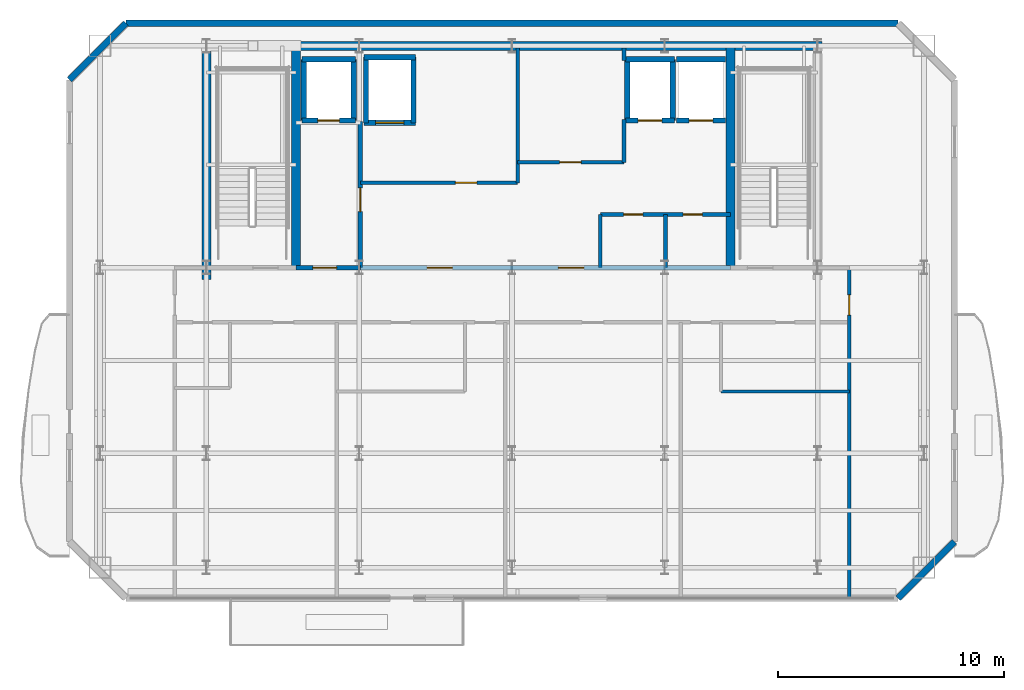
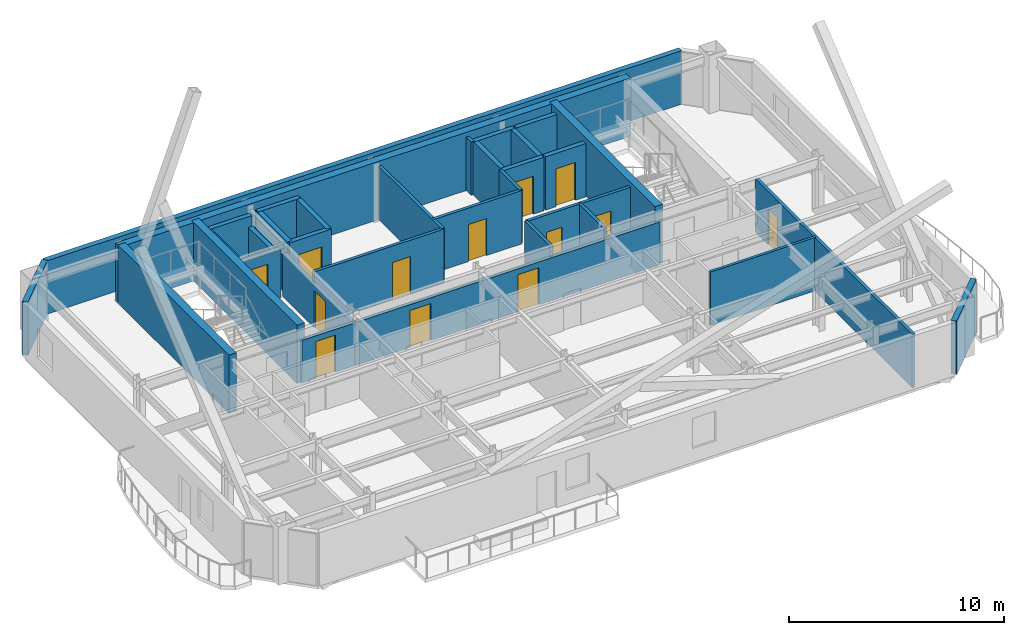
# One storey, part 3 of 7: 34 walls, 13 doors, 13 openings.
"""IFC4 building model written with IfcOpenShell, lengths in metres."""

from ifc_helpers import new_model, si_unit, direction, frame, frame_2d, origin, place, context, subcontext, project, spatial, rectangle, extrude, material, layer, layer_set, type_object, element, fill, save


model = new_model("IFC4")

# Units and contexts
model_context = context("Model", 3, precision=1e-05, world=origin(), true_north=direction((0.0, 1.0)))
body_context = subcontext(model_context, "Body", "Model", "MODEL_VIEW")
ifc_project = project(units=[si_unit("LENGTHUNIT", "METRE"), si_unit("AREAUNIT", "SQUARE_METRE"), si_unit("VOLUMEUNIT", "CUBIC_METRE"), si_unit("PLANEANGLEUNIT", "RADIAN"), si_unit("MASSUNIT", "GRAM", prefix="KILO")], contexts=[model_context])

# Site, building, storey
site_placement = place(None, origin())
site = spatial("IfcSite", under=ifc_project, at=site_placement, CompositionType="ELEMENT")
building_placement = place(site_placement, origin())
building = spatial("IfcBuilding", under=site, at=building_placement, Name="Haevon Station Towers", CompositionType="ELEMENT")
storey_placement = place(building_placement, frame((0.0, 0.0, 259.199951171875)))
storey = spatial("IfcBuildingStorey", under=building, at=storey_placement, Name="L72", CompositionType="ELEMENT", Elevation=259.199951171875)

# Wall, opening, door
ifc_material_1 = material(Name="Gypsum board on steel stud", Category="steel")
ifc_layer_1 = layer(ifc_material_1, 0.199951171875)
ifc_layer_set_1 = layer_set([ifc_layer_1], Name="Gypsum board on steel stud")
wall_type_1 = type_object("IfcWallType", Name="WL-COR200", PredefinedType="PARTITIONING", material=ifc_layer_set_1)
wall_1_placement = place(storey_placement, frame((30.800048828125, 38.199951171875, 0.0), z_axis=(0.0, 0.0, 1.0), x_axis=(0.0, 1.0, 0.0)))
wall_1 = element("IfcWall", 1, at=wall_1_placement, inside=storey, type_object=wall_type_1, Name="WL-T1FFL-L72-E", PredefinedType="PARTITIONING", context=body_context, shape_type="SweptSolid", body=[
    extrude(rectangle(XDim=6.449951171875, YDim=0.199951171875, at=frame_2d((3.22509765625, 0.0))), origin(), (0.0, 0.0, 1.0), 2.429931640625),
])
opening_1_placement = place(wall_1_placement, frame((2.469970703125, 0.0, 0.0)))
opening_1 = element("IfcOpeningElement", 2, at=opening_1_placement, cuts=wall_1, Name="Opening DR-T1FFL-L72-E", PredefinedType="OPENING", context=body_context, shape_type="SweptSolid", body=[
    extrude(rectangle(XDim=1.050048828125, YDim=2.10009765625, at=frame_2d((0.52490234375, 1.050048828125))), frame((0.0, 0.10986328125, 0.0), z_axis=(0.0, -1.0, 0.0), x_axis=(1.0, 0.0, 0.0)), (0.0, 0.0, 1.0), 0.219970703125),
])
ifc_material_2 = material(Name="Engineered oak timber", Category="wood")
door_type_1 = type_object("IfcDoorType", Name="DR-FD60-1050", OperationType="NOTDEFINED", PredefinedType="DOOR", material=ifc_material_2)
door_1_placement = place(opening_1_placement, origin())
door_1 = element("IfcDoor", 3, at=door_1_placement, inside=storey, type_object=door_type_1, Name="L72 Tower 1 Firefighting Lift Lobby Door E", OperationType="SINGLE_SWING_RIGHT", OverallHeight=2.10009765625, OverallWidth=1.050048828125, PredefinedType="DOOR", context=body_context, shape_type="SweptSolid", body=[
    extrude(rectangle(XDim=1.050048828125, YDim=2.10009765625, at=frame_2d((0.52490234375, 1.050048828125))), frame((0.0, 0.02490234375, 0.0), z_axis=(0.0, -1.0, 0.0), x_axis=(1.0, 0.0, 0.0)), (0.0, 0.0, 1.0), 0.050048828125),
])
fill(opening_1, door_1)

wall_2_placement = place(storey_placement, frame((27.949951171875, 38.199951171875, 0.0), z_axis=(0.0, 0.0, 1.0), x_axis=(1.0, 0.0, 0.0)))
wall_2 = element("IfcWall", 4, at=wall_2_placement, inside=storey, type_object=wall_type_1, Name="WL-T1FFL-L72-S", PredefinedType="PARTITIONING", context=body_context, shape_type="SweptSolid", body=[
    extrude(rectangle(XDim=2.85009765625, YDim=0.199951171875, at=frame_2d((1.425048828125, 0.0))), origin(), (0.0, 0.0, 1.0), 2.429931640625),
])
opening_2_placement = place(wall_2_placement, frame((0.75, 0.0, 0.0)))
opening_2 = element("IfcOpeningElement", 5, at=opening_2_placement, cuts=wall_2, Name="Opening DR-T1FFL-L72-S", PredefinedType="OPENING", context=body_context, shape_type="SweptSolid", body=[
    extrude(rectangle(XDim=1.050048828125, YDim=2.10009765625, at=frame_2d((0.52490234375, 1.050048828125))), frame((0.0, 0.10986328125, 0.0), z_axis=(0.0, -1.0, 0.0), x_axis=(1.0, 0.0, 0.0)), (0.0, 0.0, 1.0), 0.219970703125),
])
door_2_placement = place(opening_2_placement, origin())
door_2 = element("IfcDoor", 6, at=door_2_placement, inside=storey, type_object=door_type_1, Name="L72 Tower 1 Firefighting Lift Lobby Door S", OperationType="SINGLE_SWING_LEFT", OverallHeight=2.10009765625, OverallWidth=1.050048828125, PredefinedType="DOOR", context=body_context, shape_type="SweptSolid", body=[
    extrude(rectangle(XDim=1.050048828125, YDim=2.10009765625, at=frame_2d((0.52490234375, 1.050048828125))), frame((0.0, 0.02490234375, 0.0), z_axis=(0.0, -1.0, 0.0), x_axis=(1.0, 0.0, 0.0)), (0.0, 0.0, 1.0), 0.050048828125),
])
fill(opening_2, door_2)

# Wall, openings, doors
wall_3_placement = place(storey_placement, frame((30.800048828125, 38.199951171875, 0.0), z_axis=(0.0, 0.0, 1.0), x_axis=(1.0, 0.0, 0.0)))
wall_3 = element("IfcWall", 7, at=wall_3_placement, inside=storey, type_object=wall_type_1, Name="WL-T1CLB-L72", PredefinedType="PARTITIONING", context=body_context, shape_type="SweptSolid", body=[
    extrude(rectangle(XDim=16.349853515625, YDim=0.199951171875, at=frame_2d((8.1748046875, 0.0))), origin(), (0.0, 0.0, 1.0), 2.429931640625),
])
opening_3_placement = place(wall_3_placement, frame((2.949951171875, 0.0, 0.0)))
opening_3 = element("IfcOpeningElement", 8, at=opening_3_placement, cuts=wall_3, Name="Opening DR-T1CLB-L72-1", PredefinedType="OPENING", context=body_context, shape_type="SweptSolid", body=[
    extrude(rectangle(XDim=1.1201171875, YDim=2.10009765625, at=frame_2d((0.56005859375, 1.050048828125))), frame((0.0, 0.10986328125, 0.0), z_axis=(0.0, -1.0, 0.0), x_axis=(1.0, 0.0, 0.0)), (0.0, 0.0, 1.0), 0.219970703125),
])
opening_4_placement = place(wall_3_placement, frame((8.75, 0.0, 0.0)))
opening_4 = element("IfcOpeningElement", 9, at=opening_4_placement, cuts=wall_3, Name="Opening DR-T1CLB-L72-2", PredefinedType="OPENING", context=body_context, shape_type="SweptSolid", body=[
    extrude(rectangle(XDim=1.1201171875, YDim=2.10009765625, at=frame_2d((0.56005859375, 1.050048828125))), frame((0.0, 0.10986328125, 0.0), z_axis=(0.0, -1.0, 0.0), x_axis=(1.0, 0.0, 0.0)), (0.0, 0.0, 1.0), 0.219970703125),
])
door_type_2 = type_object("IfcDoorType", Name="DR-ST-1120", OperationType="NOTDEFINED", PredefinedType="DOOR", material=ifc_material_2)
door_3_placement = place(opening_3_placement, origin())
door_3 = element("IfcDoor", 10, at=door_3_placement, inside=storey, type_object=door_type_2, Name="L72 Tower 1 Core Lift Lobby Door 1", OperationType="SINGLE_SWING_RIGHT", OverallHeight=2.10009765625, OverallWidth=1.1201171875, PredefinedType="DOOR", context=body_context, shape_type="SweptSolid", body=[
    extrude(rectangle(XDim=1.1201171875, YDim=2.10009765625, at=frame_2d((0.56005859375, 1.050048828125))), frame((0.0, 0.02490234375, 0.0), z_axis=(0.0, -1.0, 0.0), x_axis=(1.0, 0.0, 0.0)), (0.0, 0.0, 1.0), 0.050048828125),
])
fill(opening_3, door_3)
door_4_placement = place(opening_4_placement, origin())
door_4 = element("IfcDoor", 11, at=door_4_placement, inside=storey, type_object=door_type_2, Name="L72 Tower 1 Core Lift Lobby Door 2", OperationType="SINGLE_SWING_LEFT", OverallHeight=2.10009765625, OverallWidth=1.1201171875, PredefinedType="DOOR", context=body_context, shape_type="SweptSolid", body=[
    extrude(rectangle(XDim=1.1201171875, YDim=2.10009765625, at=frame_2d((0.56005859375, 1.050048828125))), frame((0.0, 0.02490234375, 0.0), z_axis=(0.0, -1.0, 0.0), x_axis=(1.0, 0.0, 0.0)), (0.0, 0.0, 1.0), 0.050048828125),
])
fill(opening_4, door_4)

# Walls
ifc_material_3 = material(Name="Concrete C60/75", Category="concrete")
ifc_layer_2 = layer(ifc_material_3, 0.39990234375)
ifc_layer_set_2 = layer_set([ifc_layer_2], Name="Concrete C60/75")
wall_type_2 = type_object("IfcWallType", Name="WL-CR400", PredefinedType="SHEAR", material=ifc_layer_set_2)
wall_4_placement = place(storey_placement, frame((23.800048828125, 48.0, 0.0), z_axis=(0.0, 0.0, 1.0), x_axis=(1.0, 0.0, 0.0)))
element("IfcWall", 12, at=wall_4_placement, inside=storey, type_object=wall_type_2, Name="WL-T1CR-L72-N", PredefinedType="SHEAR", context=body_context, shape_type="SweptSolid", body=[
    extrude(rectangle(XDim=27.39990234375, YDim=0.39990234375, at=frame_2d((13.699951171875, 0.0))), origin(), (0.0, 0.0, 1.0), 3.300048828125),
])
wall_5_placement = place(storey_placement, frame((24.0, 37.679931640625, 0.0), z_axis=(0.0, 0.0, 1.0), x_axis=(0.0, 1.0, 0.0)))
element("IfcWall", 13, at=wall_5_placement, inside=storey, type_object=wall_type_2, Name="WL-T1CR-L72-W", PredefinedType="SHEAR", context=body_context, shape_type="SweptSolid", body=[
    extrude(rectangle(XDim=10.320068359375, YDim=0.39990234375, at=frame_2d((5.16015625, 0.0))), origin(), (0.0, 0.0, 1.0), 3.300048828125),
])
for number, where, z_axis, x_axis, name in (
    (14, (27.949951171875, 38.199951171875, 0.0), (0.0, 0.0, 1.0), (0.0, 1.0, 0.0), "WL-T1CR-L72-M1"),
    (15, (47.14990234375, 38.199951171875, 0.0), (0.0, 0.0, 1.0), (0.0, 1.0, 0.0), "WL-T1CR-L72-M2"),
):
    element("IfcWall", number, at=place(storey_placement, frame(where, z_axis=z_axis, x_axis=x_axis)), inside=storey, type_object=wall_type_2, Name=name, PredefinedType="SHEAR", context=body_context, shape_type="SweptSolid", body=[
        extrude(rectangle(XDim=9.800048828125, YDim=0.39990234375, at=frame_2d((4.89990234375, 0.0))), origin(), (0.0, 0.0, 1.0), 3.300048828125),
    ])
ifc_material_4 = material(Name="Precast concrete C45/55", Category="concrete")
ifc_layer_3 = layer(ifc_material_4, 0.280029296875)
ifc_layer_set_3 = layer_set([ifc_layer_3], Name="Precast concrete C45/55")
wall_type_3 = type_object("IfcWallType", Name="WL-EXT-PIER280", PredefinedType="SOLIDWALL", material=ifc_layer_set_3)
wall_6_placement = place(storey_placement, frame((17.949951171875, 46.5, 0.0), z_axis=(0.0, 0.0, 1.0), x_axis=(0.707106781187, 0.707106781187, 0.0)))
element("IfcWall", 16, at=wall_6_placement, inside=storey, type_object=wall_type_3, Name="WL-T1-L72-NWC", PredefinedType="SOLIDWALL", context=body_context, shape_type="SweptSolid", body=[
    extrude(rectangle(XDim=3.53564453125, YDim=0.280029296875, at=frame_2d((1.767822265625, 0.0))), origin(), (0.0, 0.0, 1.0), 3.030029296875),
])
wall_7_placement = place(storey_placement, frame((20.449951171875, 49.0, 0.0), z_axis=(0.0, 0.0, 1.0), x_axis=(1.0, 0.0, 0.0)))
element("IfcWall", 17, at=wall_7_placement, inside=storey, type_object=wall_type_3, Name="WL-T1-L72-N", PredefinedType="SOLIDWALL", context=body_context, shape_type="SweptSolid", body=[
    extrude(rectangle(XDim=34.10009765625, YDim=0.280029296875, at=frame_2d((17.050048828125, 0.0))), origin(), (0.0, 0.0, 1.0), 3.030029296875),
])
wall_8_placement = place(storey_placement, frame((57.050048828125, 26.10009765625, 0.0), z_axis=(0.0, 0.0, 1.0), x_axis=(-0.707106781187, -0.707106781187, 0.0)))
element("IfcWall", 18, at=wall_8_placement, inside=storey, type_object=wall_type_3, Name="WL-T1-L72-SEC", PredefinedType="SOLIDWALL", context=body_context, shape_type="SweptSolid", body=[
    extrude(rectangle(XDim=3.53564453125, YDim=0.280029296875, at=frame_2d((1.767822265625, 0.0))), origin(), (0.0, 0.0, 1.0), 3.030029296875),
])
ifc_layer_4 = layer(ifc_material_1, 0.139892578125)
ifc_layer_set_4 = layer_set([ifc_layer_4], Name="Gypsum board on steel stud")
wall_type_4 = type_object("IfcWallType", Name="WL-PRT140", PredefinedType="PARTITIONING", material=ifc_layer_set_4)
wall_9_placement = place(storey_placement, frame((46.72998046875, 32.72998046875, 0.0), z_axis=(0.0, 0.0, 1.0), x_axis=(1.0, 0.0, 0.0)))
element("IfcWall", 19, at=wall_9_placement, inside=storey, type_object=wall_type_4, Name="WL-T1PT-L72-12", PredefinedType="PARTITIONING", context=body_context, shape_type="SweptSolid", body=[
    extrude(rectangle(XDim=5.669921875, YDim=0.139892578125, at=frame_2d((2.8349609375, 0.0))), origin(), (0.0, 0.0, 1.0), 3.030029296875),
])

# Wall, opening, door
ifc_layer_5 = layer(ifc_material_1, 0.159912109375)
ifc_layer_set_5 = layer_set([ifc_layer_5], Name="Gypsum board on steel stud")
wall_type_5 = type_object("IfcWallType", Name="WL-PRT160", PredefinedType="PARTITIONING", material=ifc_layer_set_5)
wall_10_placement = place(storey_placement, frame((30.800048828125, 41.949951171875, 0.0), z_axis=(0.0, 0.0, 1.0), x_axis=(1.0, 0.0, 0.0)))
wall_10 = element("IfcWall", 20, at=wall_10_placement, inside=storey, type_object=wall_type_5, Name="WL-T1CW-L72-01", PredefinedType="PARTITIONING", context=body_context, shape_type="SweptSolid", body=[
    extrude(rectangle(XDim=6.949951171875, YDim=0.159912109375, at=frame_2d((3.47509765625, 0.0))), origin(), (0.0, 0.0, 1.0), 3.030029296875),
])
opening_5_placement = place(wall_10_placement, frame((4.199951171875, 0.0, 0.0)))
opening_5 = element("IfcOpeningElement", 21, at=opening_5_placement, cuts=wall_10, Name="Opening DR-WL-T1CW-L72-01-1", PredefinedType="OPENING", context=body_context, shape_type="SweptSolid", body=[
    extrude(rectangle(XDim=0.949951171875, YDim=2.10009765625, at=frame_2d((0.47509765625, 1.050048828125))), frame((0.0, 0.08984375, 0.0), z_axis=(0.0, -1.0, 0.0), x_axis=(1.0, 0.0, 0.0)), (0.0, 0.0, 1.0), 0.179931640625),
])
door_type_3 = type_object("IfcDoorType", Name="DR-FD60-950", OperationType="NOTDEFINED", PredefinedType="DOOR", material=ifc_material_2)
door_5_placement = place(opening_5_placement, origin())
door_5 = element("IfcDoor", 22, at=door_5_placement, inside=storey, type_object=door_type_3, Name="L72 Tower 1 Core Room Door 1-1", OperationType="SINGLE_SWING_LEFT", OverallHeight=2.10009765625, OverallWidth=0.949951171875, PredefinedType="DOOR", context=body_context, shape_type="SweptSolid", body=[
    extrude(rectangle(XDim=0.949951171875, YDim=2.10009765625, at=frame_2d((0.47509765625, 1.050048828125))), frame((0.0, 0.02490234375, 0.0), z_axis=(0.0, -1.0, 0.0), x_axis=(1.0, 0.0, 0.0)), (0.0, 0.0, 1.0), 0.050048828125),
])
fill(opening_5, door_5)

# Wall
wall_11_placement = place(storey_placement, frame((37.75, 41.949951171875, 0.0), z_axis=(0.0, 0.0, 1.0), x_axis=(0.0, 1.0, 0.0)))
element("IfcWall", 23, at=wall_11_placement, inside=storey, type_object=wall_type_5, Name="WL-T1CW-L72-02", PredefinedType="PARTITIONING", context=body_context, shape_type="SweptSolid", body=[
    extrude(rectangle(XDim=5.949951171875, YDim=0.159912109375, at=frame_2d((2.97509765625, 0.0))), origin(), (0.0, 0.0, 1.0), 3.030029296875),
])

# Wall, opening, door
wall_12_placement = place(storey_placement, frame((37.75, 42.85009765625, 0.0), z_axis=(0.0, 0.0, 1.0), x_axis=(1.0, 0.0, 0.0)))
wall_12 = element("IfcWall", 24, at=wall_12_placement, inside=storey, type_object=wall_type_5, Name="WL-T1CW-L72-03", PredefinedType="PARTITIONING", context=body_context, shape_type="SweptSolid", body=[
    extrude(rectangle(XDim=4.699951171875, YDim=0.159912109375, at=frame_2d((2.35009765625, 0.0))), origin(), (0.0, 0.0, 1.0), 3.030029296875),
])
opening_6_placement = place(wall_12_placement, frame((1.85009765625, 0.0, 0.0)))
opening_6 = element("IfcOpeningElement", 25, at=opening_6_placement, cuts=wall_12, Name="Opening DR-WL-T1CW-L72-03-1", PredefinedType="OPENING", context=body_context, shape_type="SweptSolid", body=[
    extrude(rectangle(XDim=0.949951171875, YDim=2.10009765625, at=frame_2d((0.47509765625, 1.050048828125))), frame((0.0, 0.08984375, 0.0), z_axis=(0.0, -1.0, 0.0), x_axis=(1.0, 0.0, 0.0)), (0.0, 0.0, 1.0), 0.179931640625),
])
door_6_placement = place(opening_6_placement, origin())
door_6 = element("IfcDoor", 26, at=door_6_placement, inside=storey, type_object=door_type_3, Name="L72 Tower 1 Core Room Door 3-1", OperationType="SINGLE_SWING_RIGHT", OverallHeight=2.10009765625, OverallWidth=0.949951171875, PredefinedType="DOOR", context=body_context, shape_type="SweptSolid", body=[
    extrude(rectangle(XDim=0.949951171875, YDim=2.10009765625, at=frame_2d((0.47509765625, 1.050048828125))), frame((0.0, 0.02490234375, 0.0), z_axis=(0.0, -1.0, 0.0), x_axis=(1.0, 0.0, 0.0)), (0.0, 0.0, 1.0), 0.050048828125),
])
fill(opening_6, door_6)

# Walls
wall_13_placement = place(storey_placement, frame((42.449951171875, 42.85009765625, 0.0), z_axis=(0.0, 0.0, 1.0), x_axis=(0.0, 1.0, 0.0)))
element("IfcWall", 27, at=wall_13_placement, inside=storey, type_object=wall_type_5, Name="WL-T1CW-L72-04", PredefinedType="PARTITIONING", context=body_context, shape_type="SweptSolid", body=[
    extrude(rectangle(XDim=1.89990234375, YDim=0.159912109375, at=frame_2d((0.949951171875, 0.0))), origin(), (0.0, 0.0, 1.0), 3.030029296875),
])
wall_14_placement = place(storey_placement, frame((42.449951171875, 47.35009765625, 0.0), z_axis=(0.0, 0.0, 1.0), x_axis=(0.0, 1.0, 0.0)))
element("IfcWall", 28, at=wall_14_placement, inside=storey, type_object=wall_type_5, Name="WL-T1CW-L72-05", PredefinedType="PARTITIONING", context=body_context, shape_type="SweptSolid", body=[
    extrude(rectangle(XDim=0.5498046875, YDim=0.159912109375, at=frame_2d((0.27490234375, 0.0))), origin(), (0.0, 0.0, 1.0), 3.030029296875),
])
for number, where, z_axis, x_axis, name in (
    (29, (41.39990234375, 38.199951171875, 0.0), (0.0, 0.0, 1.0), (0.0, 1.0, 0.0), "WL-T1CW-L72-06"),
    (30, (44.280029296875, 38.199951171875, 0.0), (0.0, 0.0, 1.0), (0.0, 1.0, 0.0), "WL-T1CW-L72-07"),
):
    element("IfcWall", number, at=place(storey_placement, frame(where, z_axis=z_axis, x_axis=x_axis)), inside=storey, type_object=wall_type_5, Name=name, PredefinedType="PARTITIONING", context=body_context, shape_type="SweptSolid", body=[
        extrude(rectangle(XDim=2.35009765625, YDim=0.159912109375, at=frame_2d((1.175048828125, 0.0))), origin(), (0.0, 0.0, 1.0), 3.030029296875),
    ])

# Wall, openings, doors
wall_15_placement = place(storey_placement, frame((41.39990234375, 40.550048828125, 0.0), z_axis=(0.0, 0.0, 1.0), x_axis=(1.0, 0.0, 0.0)))
wall_15 = element("IfcWall", 31, at=wall_15_placement, inside=storey, type_object=wall_type_5, Name="WL-T1CW-L72-08", PredefinedType="PARTITIONING", context=body_context, shape_type="SweptSolid", body=[
    extrude(rectangle(XDim=5.75, YDim=0.159912109375, at=frame_2d((2.875, 0.0))), origin(), (0.0, 0.0, 1.0), 3.030029296875),
])
opening_7_placement = place(wall_15_placement, frame((1.034912109375, 0.0, 0.0)))
opening_7 = element("IfcOpeningElement", 32, at=opening_7_placement, cuts=wall_15, Name="Opening DR-WL-T1CW-L72-08-1", PredefinedType="OPENING", context=body_context, shape_type="SweptSolid", body=[
    extrude(rectangle(XDim=0.85009765625, YDim=2.050048828125, at=frame_2d((0.425048828125, 1.02490234375))), frame((0.0, 0.08984375, 0.0), z_axis=(0.0, -1.0, 0.0), x_axis=(1.0, 0.0, 0.0)), (0.0, 0.0, 1.0), 0.179931640625),
])
opening_8_placement = place(wall_15_placement, frame((3.655029296875, 0.0, 0.0)))
opening_8 = element("IfcOpeningElement", 33, at=opening_8_placement, cuts=wall_15, Name="Opening DR-WL-T1CW-L72-08-2", PredefinedType="OPENING", context=body_context, shape_type="SweptSolid", body=[
    extrude(rectangle(XDim=0.85009765625, YDim=2.050048828125, at=frame_2d((0.425048828125, 1.02490234375))), frame((0.0, 0.08984375, 0.0), z_axis=(0.0, -1.0, 0.0), x_axis=(1.0, 0.0, 0.0)), (0.0, 0.0, 1.0), 0.179931640625),
])
door_type_4 = type_object("IfcDoorType", Name="DR-FD30-850", OperationType="NOTDEFINED", PredefinedType="DOOR", material=ifc_material_2)
door_7_placement = place(opening_7_placement, origin())
door_7 = element("IfcDoor", 34, at=door_7_placement, inside=storey, type_object=door_type_4, Name="L72 Tower 1 Core Room Door 8-1", OperationType="SINGLE_SWING_LEFT", OverallHeight=2.050048828125, OverallWidth=0.85009765625, PredefinedType="DOOR", context=body_context, shape_type="SweptSolid", body=[
    extrude(rectangle(XDim=0.85009765625, YDim=2.050048828125, at=frame_2d((0.425048828125, 1.02490234375))), frame((0.0, 0.02490234375, 0.0), z_axis=(0.0, -1.0, 0.0), x_axis=(1.0, 0.0, 0.0)), (0.0, 0.0, 1.0), 0.050048828125),
])
fill(opening_7, door_7)
door_8_placement = place(opening_8_placement, origin())
door_8 = element("IfcDoor", 35, at=door_8_placement, inside=storey, type_object=door_type_4, Name="L72 Tower 1 Core Room Door 8-2", OperationType="SINGLE_SWING_RIGHT", OverallHeight=2.050048828125, OverallWidth=0.85009765625, PredefinedType="DOOR", context=body_context, shape_type="SweptSolid", body=[
    extrude(rectangle(XDim=0.85009765625, YDim=2.050048828125, at=frame_2d((0.425048828125, 1.02490234375))), frame((0.0, 0.02490234375, 0.0), z_axis=(0.0, -1.0, 0.0), x_axis=(1.0, 0.0, 0.0)), (0.0, 0.0, 1.0), 0.050048828125),
])
fill(opening_8, door_8)

# Wall, opening, door
wall_16_placement = place(storey_placement, frame((52.39990234375, 23.60009765625, 0.0), z_axis=(0.0, 0.0, 1.0), x_axis=(0.0, 1.0, 0.0)))
wall_16 = element("IfcWall", 36, at=wall_16_placement, inside=storey, type_object=wall_type_5, Name="WL-T1PT-L72-04", PredefinedType="PARTITIONING", context=body_context, shape_type="SweptSolid", body=[
    extrude(rectangle(XDim=14.599853515625, YDim=0.159912109375, at=frame_2d((7.2998046875, 0.0))), origin(), (0.0, 0.0, 1.0), 3.030029296875),
])
opening_9_placement = place(wall_16_placement, frame((12.5, 0.0, 0.0)))
opening_9 = element("IfcOpeningElement", 37, at=opening_9_placement, cuts=wall_16, Name="Opening DR-WL-T1PT-L72-04-01", PredefinedType="OPENING", context=body_context, shape_type="SweptSolid", body=[
    extrude(rectangle(XDim=0.89990234375, YDim=2.050048828125, at=frame_2d((0.449951171875, 1.02490234375))), frame((0.0, 0.08984375, 0.0), z_axis=(0.0, -1.0, 0.0), x_axis=(1.0, 0.0, 0.0)), (0.0, 0.0, 1.0), 0.179931640625),
])
door_type_5 = type_object("IfcDoorType", Name="DR-INT-900", OperationType="NOTDEFINED", PredefinedType="DOOR", material=ifc_material_2)
door_9_placement = place(opening_9_placement, origin())
door_9 = element("IfcDoor", 38, at=door_9_placement, inside=storey, type_object=door_type_5, Name="L72 Tower 1 Room Door 4-1", OperationType="SINGLE_SWING_RIGHT", OverallHeight=2.050048828125, OverallWidth=0.89990234375, PredefinedType="DOOR", context=body_context, shape_type="SweptSolid", body=[
    extrude(rectangle(XDim=0.89990234375, YDim=2.050048828125, at=frame_2d((0.449951171875, 1.02490234375))), frame((0.0, 0.02490234375, 0.0), z_axis=(0.0, -1.0, 0.0), x_axis=(1.0, 0.0, 0.0)), (0.0, 0.0, 1.0), 0.050048828125),
])
fill(opening_9, door_9)

ifc_material_5 = material(Name="Concrete C40/50", Category="concrete")
ifc_layer_6 = layer(ifc_material_5, 0.239990234375)
ifc_layer_set_6 = layer_set([ifc_layer_6], Name="Concrete C40/50")
wall_type_6 = type_object("IfcWallType", Name="WL-SHF240", PredefinedType="PARTITIONING", material=ifc_layer_set_6)
wall_17_placement = place(storey_placement, frame((28.219970703125, 44.699951171875, 0.0), z_axis=(0.0, 0.0, 1.0), x_axis=(1.0, 0.0, 0.0)))
wall_17 = element("IfcWall", 39, at=wall_17_placement, inside=storey, type_object=wall_type_6, Name="WL-SHF-FL1-L72", PredefinedType="PARTITIONING", context=body_context, shape_type="SweptSolid", body=[
    extrude(rectangle(XDim=2.360107421875, YDim=0.239990234375, at=frame_2d((1.18017578125, 0.0))), origin(), (0.0, 0.0, 1.0), 2.72998046875),
])
opening_10_placement = place(wall_17_placement, frame((0.705078125, 0.0, 0.0)))
opening_10 = element("IfcOpeningElement", 40, at=opening_10_placement, cuts=wall_17, Name="Opening LD-FL1-L72", PredefinedType="OPENING", context=body_context, shape_type="SweptSolid", body=[
    extrude(rectangle(XDim=0.949951171875, YDim=2.14990234375, at=frame_2d((0.47509765625, 1.074951171875))), frame((0.0, 0.1298828125, 0.0), z_axis=(0.0, -1.0, 0.0), x_axis=(1.0, 0.0, 0.0)), (0.0, 0.0, 1.0), 0.260009765625),
])
ifc_material_6 = material(Name="Stainless steel and rated core", Category="steel")
door_type_6 = type_object("IfcDoorType", Name="LD-FL950", OperationType="SLIDING_TO_LEFT", PredefinedType="DOOR", material=ifc_material_6)
door_10_placement = place(opening_10_placement, origin())
door_10 = element("IfcDoor", 41, at=door_10_placement, inside=storey, type_object=door_type_6, Name="L72 Lift FL1 Sliding Landing Door", OperationType="SLIDING_TO_LEFT", OverallHeight=2.14990234375, OverallWidth=0.949951171875, PredefinedType="DOOR", context=body_context, shape_type="SweptSolid", body=[
    extrude(rectangle(XDim=0.949951171875, YDim=2.14990234375, at=frame_2d((0.47509765625, 1.074951171875))), frame((0.0, 0.02490234375, 0.0), z_axis=(0.0, -1.0, 0.0), x_axis=(1.0, 0.0, 0.0)), (0.0, 0.0, 1.0), 0.050048828125),
])
fill(opening_10, door_10)

# Walls
wall_18_placement = place(storey_placement, frame((28.219970703125, 47.39990234375, 0.0), z_axis=(0.0, 0.0, 1.0), x_axis=(1.0, 0.0, 0.0)))
element("IfcWall", 42, at=wall_18_placement, inside=storey, type_object=wall_type_6, Name="WL-SHF-FL1-L72-N", PredefinedType="PARTITIONING", context=body_context, shape_type="SweptSolid", body=[
    extrude(rectangle(XDim=2.360107421875, YDim=0.239990234375, at=frame_2d((1.18017578125, 0.0))), origin(), (0.0, 0.0, 1.0), 3.030029296875),
])
wall_19_placement = place(storey_placement, frame((28.300048828125, 44.699951171875, 0.0), z_axis=(0.0, 0.0, 1.0), x_axis=(0.0, 1.0, 0.0)))
element("IfcWall", 43, at=wall_19_placement, inside=storey, type_object=wall_type_6, Name="WL-SHF-FL1-L72-W", PredefinedType="PARTITIONING", context=body_context, shape_type="SweptSolid", body=[
    extrude(rectangle(XDim=2.699951171875, YDim=0.239990234375, at=frame_2d((1.35009765625, 0.0))), origin(), (0.0, 0.0, 1.0), 3.030029296875),
])
wall_20_placement = place(storey_placement, frame((30.5, 44.699951171875, 0.0), z_axis=(0.0, 0.0, 1.0), x_axis=(0.0, 1.0, 0.0)))
element("IfcWall", 44, at=wall_20_placement, inside=storey, type_object=wall_type_6, Name="WL-SHF-FL1-L72-E", PredefinedType="PARTITIONING", context=body_context, shape_type="SweptSolid", body=[
    extrude(rectangle(XDim=2.699951171875, YDim=0.239990234375, at=frame_2d((1.35009765625, 0.0))), origin(), (0.0, 0.0, 1.0), 2.429931640625),
])

# Wall, opening, door
wall_21_placement = place(storey_placement, frame((30.969970703125, 44.60009765625, 0.0), z_axis=(0.0, 0.0, 1.0), x_axis=(1.0, 0.0, 0.0)))
wall_21 = element("IfcWall", 45, at=wall_21_placement, inside=storey, type_object=wall_type_6, Name="WL-SHF-SL1-L72", PredefinedType="PARTITIONING", context=body_context, shape_type="SweptSolid", body=[
    extrude(rectangle(XDim=2.260009765625, YDim=0.239990234375, at=frame_2d((1.1298828125, 0.0))), origin(), (0.0, 0.0, 1.0), 3.030029296875),
])
opening_11_placement = place(wall_21_placement, frame((0.5048828125, 0.0, 0.0)))
opening_11 = element("IfcOpeningElement", 46, at=opening_11_placement, cuts=wall_21, Name="Opening LD-SL1-L72", PredefinedType="OPENING", context=body_context, shape_type="SweptSolid", body=[
    extrude(rectangle(XDim=1.25, YDim=2.199951171875, at=frame_2d((0.625, 1.10009765625))), frame((0.0, 0.1298828125, 0.0), z_axis=(0.0, -1.0, 0.0), x_axis=(1.0, 0.0, 0.0)), (0.0, 0.0, 1.0), 0.260009765625),
])
door_type_7 = type_object("IfcDoorType", Name="LD-SL1250", OperationType="SLIDING_TO_LEFT", PredefinedType="DOOR", material=ifc_material_6)
door_11_placement = place(opening_11_placement, origin())
door_11 = element("IfcDoor", 47, at=door_11_placement, inside=storey, type_object=door_type_7, Name="L72 Lift SL1 Sliding Landing Door", OperationType="SLIDING_TO_LEFT", OverallHeight=2.199951171875, OverallWidth=1.25, PredefinedType="DOOR", context=body_context, shape_type="SweptSolid", body=[
    extrude(rectangle(XDim=1.25, YDim=2.199951171875, at=frame_2d((0.625, 1.10009765625))), frame((0.0, 0.02490234375, 0.0), z_axis=(0.0, -1.0, 0.0), x_axis=(1.0, 0.0, 0.0)), (0.0, 0.0, 1.0), 0.050048828125),
])
fill(opening_11, door_11)

# Walls
wall_22_placement = place(storey_placement, frame((30.969970703125, 47.5, 0.0), z_axis=(0.0, 0.0, 1.0), x_axis=(1.0, 0.0, 0.0)))
element("IfcWall", 48, at=wall_22_placement, inside=storey, type_object=wall_type_6, Name="WL-SHF-SL1-L72-N", PredefinedType="PARTITIONING", context=body_context, shape_type="SweptSolid", body=[
    extrude(rectangle(XDim=2.260009765625, YDim=0.239990234375, at=frame_2d((1.1298828125, 0.0))), origin(), (0.0, 0.0, 1.0), 3.030029296875),
])
for number, where, z_axis, x_axis, name in (
    (49, (31.050048828125, 44.60009765625, 0.0), (0.0, 0.0, 1.0), (0.0, 1.0, 0.0), "WL-SHF-SL1-L72-W"),
    (50, (33.14990234375, 44.60009765625, 0.0), (0.0, 0.0, 1.0), (0.0, 1.0, 0.0), "WL-SHF-SL1-L72-E"),
):
    element("IfcWall", number, at=place(storey_placement, frame(where, z_axis=z_axis, x_axis=x_axis)), inside=storey, type_object=wall_type_6, Name=name, PredefinedType="PARTITIONING", context=body_context, shape_type="SweptSolid", body=[
        extrude(rectangle(XDim=2.89990234375, YDim=0.239990234375, at=frame_2d((1.449951171875, 0.0))), origin(), (0.0, 0.0, 1.0), 3.030029296875),
    ])

# Wall, opening, door
wall_23_placement = place(storey_placement, frame((42.52001953125, 44.699951171875, 0.0), z_axis=(0.0, 0.0, 1.0), x_axis=(1.0, 0.0, 0.0)))
wall_23 = element("IfcWall", 51, at=wall_23_placement, inside=storey, type_object=wall_type_6, Name="WL-SHF-PL5-L72", PredefinedType="PARTITIONING", context=body_context, shape_type="SweptSolid", body=[
    extrude(rectangle(XDim=2.159912109375, YDim=0.239990234375, at=frame_2d((1.080078125, 0.0))), origin(), (0.0, 0.0, 1.0), 3.030029296875),
])
opening_12_placement = place(wall_23_placement, frame((0.554931640625, 0.0, 0.0)))
opening_12 = element("IfcOpeningElement", 52, at=opening_12_placement, cuts=wall_23, Name="Opening LD-PL5-L72", PredefinedType="OPENING", context=body_context, shape_type="SweptSolid", body=[
    extrude(rectangle(XDim=1.050048828125, YDim=2.14990234375, at=frame_2d((0.52490234375, 1.074951171875))), frame((0.0, 0.1298828125, 0.0), z_axis=(0.0, -1.0, 0.0), x_axis=(1.0, 0.0, 0.0)), (0.0, 0.0, 1.0), 0.260009765625),
])
door_type_8 = type_object("IfcDoorType", Name="LD-PL1050", OperationType="SLIDING_TO_LEFT", PredefinedType="DOOR", material=ifc_material_6)
door_12_placement = place(opening_12_placement, origin())
door_12 = element("IfcDoor", 53, at=door_12_placement, inside=storey, type_object=door_type_8, Name="L72 Lift PL5 Sliding Landing Door", OperationType="SLIDING_TO_LEFT", OverallHeight=2.14990234375, OverallWidth=1.050048828125, PredefinedType="DOOR", context=body_context, shape_type="SweptSolid", body=[
    extrude(rectangle(XDim=1.050048828125, YDim=2.14990234375, at=frame_2d((0.52490234375, 1.074951171875))), frame((0.0, 0.02490234375, 0.0), z_axis=(0.0, -1.0, 0.0), x_axis=(1.0, 0.0, 0.0)), (0.0, 0.0, 1.0), 0.050048828125),
])
fill(opening_12, door_12)

# Walls
wall_24_placement = place(storey_placement, frame((42.52001953125, 47.39990234375, 0.0), z_axis=(0.0, 0.0, 1.0), x_axis=(1.0, 0.0, 0.0)))
element("IfcWall", 54, at=wall_24_placement, inside=storey, type_object=wall_type_6, Name="WL-SHF-PL5-L72-N", PredefinedType="PARTITIONING", context=body_context, shape_type="SweptSolid", body=[
    extrude(rectangle(XDim=2.159912109375, YDim=0.239990234375, at=frame_2d((1.080078125, 0.0))), origin(), (0.0, 0.0, 1.0), 3.030029296875),
])
for number, where, z_axis, x_axis, name in (
    (55, (42.60009765625, 44.699951171875, 0.0), (0.0, 0.0, 1.0), (0.0, 1.0, 0.0), "WL-SHF-PL5-L72-W"),
    (56, (44.60009765625, 44.699951171875, 0.0), (0.0, 0.0, 1.0), (0.0, 1.0, 0.0), "WL-SHF-PL5-L72-E"),
):
    element("IfcWall", number, at=place(storey_placement, frame(where, z_axis=z_axis, x_axis=x_axis)), inside=storey, type_object=wall_type_6, Name=name, PredefinedType="PARTITIONING", context=body_context, shape_type="SweptSolid", body=[
        extrude(rectangle(XDim=2.699951171875, YDim=0.239990234375, at=frame_2d((1.35009765625, 0.0))), origin(), (0.0, 0.0, 1.0), 3.030029296875),
    ])

# Wall, opening, door
wall_25_placement = place(storey_placement, frame((44.77001953125, 44.699951171875, 0.0), z_axis=(0.0, 0.0, 1.0), x_axis=(1.0, 0.0, 0.0)))
wall_25 = element("IfcWall", 57, at=wall_25_placement, inside=storey, type_object=wall_type_6, Name="WL-SHF-PL6-L72", PredefinedType="PARTITIONING", context=body_context, shape_type="SweptSolid", body=[
    extrude(rectangle(XDim=2.159912109375, YDim=0.239990234375, at=frame_2d((1.080078125, 0.0))), origin(), (0.0, 0.0, 1.0), 3.030029296875),
])
opening_13_placement = place(wall_25_placement, frame((0.554931640625, 0.0, 0.0)))
opening_13 = element("IfcOpeningElement", 58, at=opening_13_placement, cuts=wall_25, Name="Opening LD-PL6-L72", PredefinedType="OPENING", context=body_context, shape_type="SweptSolid", body=[
    extrude(rectangle(XDim=1.050048828125, YDim=2.14990234375, at=frame_2d((0.52490234375, 1.074951171875))), frame((0.0, 0.1298828125, 0.0), z_axis=(0.0, -1.0, 0.0), x_axis=(1.0, 0.0, 0.0)), (0.0, 0.0, 1.0), 0.260009765625),
])
door_13_placement = place(opening_13_placement, origin())
door_13 = element("IfcDoor", 59, at=door_13_placement, inside=storey, type_object=door_type_8, Name="L72 Lift PL6 Sliding Landing Door", OperationType="SLIDING_TO_LEFT", OverallHeight=2.14990234375, OverallWidth=1.050048828125, PredefinedType="DOOR", context=body_context, shape_type="SweptSolid", body=[
    extrude(rectangle(XDim=1.050048828125, YDim=2.14990234375, at=frame_2d((0.52490234375, 1.074951171875))), frame((0.0, 0.02490234375, 0.0), z_axis=(0.0, -1.0, 0.0), x_axis=(1.0, 0.0, 0.0)), (0.0, 0.0, 1.0), 0.050048828125),
])
fill(opening_13, door_13)

# Wall
wall_26_placement = place(storey_placement, frame((44.77001953125, 47.39990234375, 0.0), z_axis=(0.0, 0.0, 1.0), x_axis=(1.0, 0.0, 0.0)))
element("IfcWall", 60, at=wall_26_placement, inside=storey, type_object=wall_type_6, Name="WL-SHF-PL6-L72-N", PredefinedType="PARTITIONING", context=body_context, shape_type="SweptSolid", body=[
    extrude(rectangle(XDim=2.159912109375, YDim=0.239990234375, at=frame_2d((1.080078125, 0.0))), origin(), (0.0, 0.0, 1.0), 3.030029296875),
])

save(model, "model.ifc")
